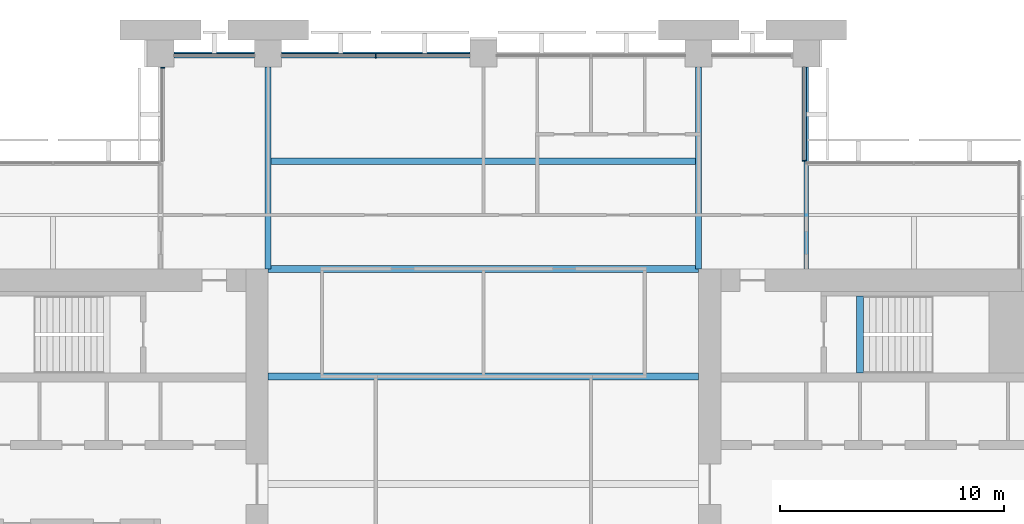
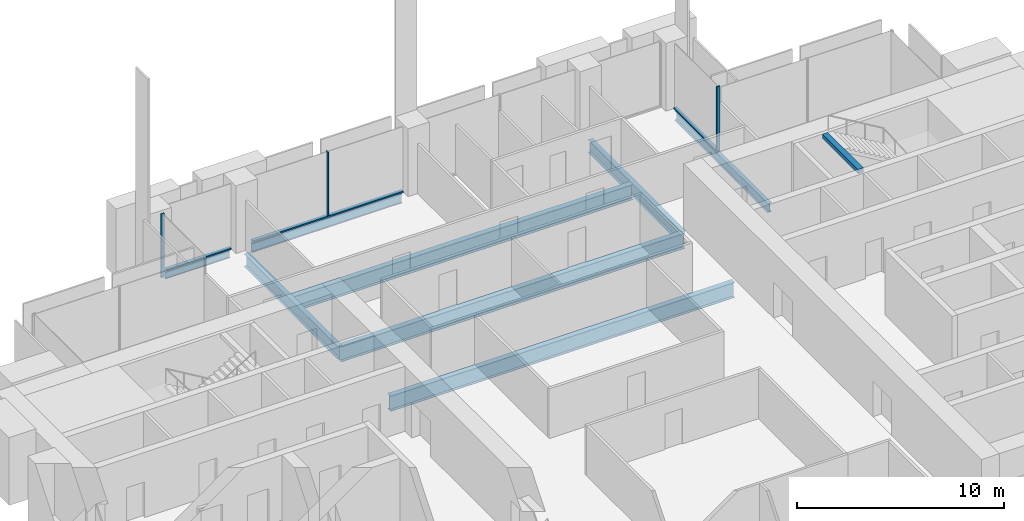
# One storey, part 6 of 14: 9 beams, 6 members, 3 elements without a shape of their own.
"""IFC4 building model written with IfcOpenShell, lengths in metres."""

from ifc_helpers import new_model, si_unit, direction, frame, origin, origin_2d, place, context, subcontext, project, spatial, rectangle, i_section, extrude, material, material_profile, profile_set, type_object, element, aggregate, save


model = new_model("IFC4")

# Units and contexts
model_context = context("Model", 3, precision=1e-05, world=origin(), true_north=direction((0.0, 1.0)))
body_context = subcontext(model_context, "Body", "Model", "MODEL_VIEW")
ifc_project = project(units=[si_unit("LENGTHUNIT", "METRE"), si_unit("AREAUNIT", "SQUARE_METRE"), si_unit("VOLUMEUNIT", "CUBIC_METRE"), si_unit("PLANEANGLEUNIT", "RADIAN"), si_unit("MASSUNIT", "GRAM", prefix="KILO")], contexts=[model_context])

# Site, building, storey
site_placement = place(None, origin())
site = spatial("IfcSite", under=ifc_project, at=site_placement, CompositionType="ELEMENT")
building_placement = place(site_placement, origin())
building = spatial("IfcBuilding", under=site, at=building_placement, Name="Baori Bourse Tower", CompositionType="ELEMENT")
storey_placement = place(building_placement, frame((0.0, 0.0, 120.10009765625)))
storey = spatial("IfcBuildingStorey", under=building, at=storey_placement, Name="L25", CompositionType="ELEMENT", Elevation=120.10009765625)

# Curtain wall, members
ifc_material_1 = material(Name="Pale anodised aluminium", Category="aluminium")
curtain_wall_type_1 = type_object("IfcCurtainWallType", Name="CW1 Curtain wall", PredefinedType="NOTDEFINED", material=ifc_material_1)
curtain_wall_1_placement = place(storey_placement, origin())
curtain_wall_1 = element("IfcCurtainWall", 1, at=curtain_wall_1_placement, inside=storey, type_object=curtain_wall_type_1, Name="Curtain wall CW1 L25 4", PredefinedType="NOTDEFINED")
ifc_material_2 = material(Name="Pale anodised aluminium", Category="aluminium")
ifc_material_profile_1 = material_profile(ifc_material_2, rectangle(XDim=0.199951171875, YDim=0.06005859375, at=origin_2d()), Name="Mullion 60x200")
ifc_profile_set_1 = profile_set([ifc_material_profile_1], Name="Pale anodised aluminium")
member_type_1 = type_object("IfcMemberType", Name="CW1 Curtain wall mullion", PredefinedType="MULLION", material=ifc_profile_set_1)
member_1_placement = place(storey_placement, frame((24.0, 47.89990234375, 0.079833984375), z_axis=(0.0, 0.0, 1.0), x_axis=(0.0, -1.0, 0.0)))
member_1 = element("IfcMember", 2, at=member_1_placement, type_object=member_type_1, Name="Curtain wall CW1 mullion", PredefinedType="MULLION", context=body_context, shape_type="SweptSolid", body=[
    extrude(rectangle(XDim=0.199951171875, YDim=0.06005859375, at=origin_2d()), origin(), (0.0, 0.0, 1.0), 3.760009765625),
])
ifc_material_3 = material(Name="Pale anodised aluminium", Category="aluminium")
ifc_material_profile_2 = material_profile(ifc_material_3, rectangle(XDim=0.199951171875, YDim=0.080078125, at=origin_2d()), Name="Transom 80x200")
ifc_profile_set_2 = profile_set([ifc_material_profile_2], Name="Pale anodised aluminium")
member_type_2 = type_object("IfcMemberType", Name="CW1 Curtain wall transom", PredefinedType="USERDEFINED", material=ifc_profile_set_2)
member_2_placement = place(storey_placement, frame((28.199951171875, 47.89990234375, 0.039794921875), z_axis=(-1.0, 0.0, 0.0), x_axis=(0.0, -1.0, 0.0)))
member_2 = element("IfcMember", 3, at=member_2_placement, type_object=member_type_2, Name="Curtain wall CW1 sill rail", ObjectType="TRANSOM", PredefinedType="USERDEFINED", context=body_context, shape_type="SweptSolid", body=[
    extrude(rectangle(XDim=0.199951171875, YDim=0.080078125, at=origin_2d()), origin(), (0.0, 0.0, 1.0), 8.39990234375),
])
member_3_placement = place(storey_placement, frame((18.60009765625, 47.89990234375, 0.039794921875), z_axis=(-1.0, 0.0, 0.0), x_axis=(0.0, -1.0, 0.0)))
member_3 = element("IfcMember", 4, at=member_3_placement, type_object=member_type_2, Name="Curtain wall CW1 sill rail", ObjectType="TRANSOM", PredefinedType="USERDEFINED", context=body_context, shape_type="SweptSolid", body=[
    extrude(rectangle(XDim=0.199951171875, YDim=0.080078125, at=origin_2d()), origin(), (0.0, 0.0, 1.0), 3.60009765625),
])
aggregate(curtain_wall_1, [member_2, member_1, member_3])

# Curtain wall, member
ifc_material_4 = material(Name="Pale anodised aluminium", Category="aluminium")
curtain_wall_type_2 = type_object("IfcCurtainWallType", Name="CW2 Curtain wall", PredefinedType="NOTDEFINED", material=ifc_material_4)
curtain_wall_2_placement = place(storey_placement, origin())
curtain_wall_2 = element("IfcCurtainWall", 5, at=curtain_wall_2_placement, inside=storey, type_object=curtain_wall_type_2, Name="Curtain wall CW2 L25 3", PredefinedType="NOTDEFINED")
ifc_material_5 = material(Name="Pale anodised aluminium", Category="aluminium")
ifc_material_profile_3 = material_profile(ifc_material_5, rectangle(XDim=0.179931640625, YDim=0.054931640625, at=origin_2d()), Name="Mullion 55x180")
ifc_profile_set_3 = profile_set([ifc_material_profile_3], Name="Pale anodised aluminium")
member_type_3 = type_object("IfcMemberType", Name="CW2 Curtain wall mullion", PredefinedType="MULLION", material=ifc_profile_set_3)
member_4_placement = place(storey_placement, frame((43.110107421875, 43.2275390625, 0.06982421875), z_axis=(0.0, 0.0, 1.0), x_axis=(-1.0, 0.0, 0.0)))
member_4 = element("IfcMember", 6, at=member_4_placement, type_object=member_type_3, Name="Curtain wall CW2 mullion", PredefinedType="MULLION", context=body_context, shape_type="SweptSolid", body=[
    extrude(rectangle(XDim=0.179931640625, YDim=0.054931640625, at=origin_2d()), origin(), (0.0, 0.0, 1.0), 3.77001953125),
])

curtain_wall_3_placement = place(storey_placement, origin())
curtain_wall_3 = element("IfcCurtainWall", 7, at=curtain_wall_3_placement, inside=storey, type_object=curtain_wall_type_2, Name="Curtain wall CW2 L25 5", PredefinedType="NOTDEFINED")
member_5_placement = place(storey_placement, frame((14.489990234375, 47.37255859375, 0.06982421875), z_axis=(0.0, 0.0, 1.0), x_axis=(1.0, 0.0, 0.0)))
member_5 = element("IfcMember", 8, at=member_5_placement, type_object=member_type_3, Name="Curtain wall CW2 mullion", PredefinedType="MULLION", context=body_context, shape_type="SweptSolid", body=[
    extrude(rectangle(XDim=0.179931640625, YDim=0.054931640625, at=origin_2d()), origin(), (0.0, 0.0, 1.0), 3.77001953125),
])
aggregate(curtain_wall_3, [member_5])

# Member
ifc_material_6 = material(Name="Pale anodised aluminium", Category="aluminium")
ifc_material_profile_4 = material_profile(ifc_material_6, rectangle(XDim=0.179931640625, YDim=0.070068359375, at=origin_2d()), Name="Transom 70x180")
ifc_profile_set_4 = profile_set([ifc_material_profile_4], Name="Pale anodised aluminium")
member_type_4 = type_object("IfcMemberType", Name="CW2 Curtain wall transom", PredefinedType="USERDEFINED", material=ifc_profile_set_4)
member_6_placement = place(storey_placement, frame((43.110107421875, 43.199951171875, 0.034912109375), z_axis=(0.0, 1.0, 0.0), x_axis=(-1.0, 0.0, 0.0)))
member_6 = element("IfcMember", 9, at=member_6_placement, type_object=member_type_4, Name="Curtain wall CW2 sill rail", ObjectType="TRANSOM", PredefinedType="USERDEFINED", context=body_context, shape_type="SweptSolid", body=[
    extrude(rectangle(XDim=0.179931640625, YDim=0.070068359375, at=origin_2d()), origin(), (0.0, 0.0, 1.0), 4.199951171875),
])

aggregate(curtain_wall_2, [member_6, member_4])

# Beams
ifc_material_7 = material(Name="Steel A992 Gr 50", Category="steel")
ifc_material_profile_5 = material_profile(ifc_material_7, i_section(OverallWidth=0.140380859375, OverallDepth=0.40380859375, WebThickness=0.007080078125, FlangeThickness=0.01123046875, at=origin_2d()), Name="W16x31")
ifc_profile_set_5 = profile_set([ifc_material_profile_5], Name="Steel A992 Gr 50")
beam_type_1 = type_object("IfcBeamType", Name="Edge beam W16x31", PredefinedType="BEAM", material=ifc_profile_set_5)
beam_1_placement = place(storey_placement, frame((15.0, 48.0, -0.362060546875), z_axis=(1.0, 0.0, 0.0), x_axis=(0.0, 1.0, 0.0)))
element("IfcBeam", 10, at=beam_1_placement, inside=storey, type_object=beam_type_1, Name="Edge beam L25", PredefinedType="BEAM", context=body_context, shape_type="SweptSolid", body=[
    extrude(i_section(OverallWidth=0.140380859375, OverallDepth=0.40380859375, WebThickness=0.007080078125, FlangeThickness=0.01123046875, at=origin_2d()), origin(), (0.0, 0.0, 1.0), 3.60009765625),
])
ifc_material_8 = material(Name="Steel A992 Gr 50", Category="steel")
ifc_material_profile_6 = material_profile(ifc_material_8, i_section(OverallWidth=0.1650390625, OverallDepth=0.52587890625, WebThickness=0.0087890625, FlangeThickness=0.011474609375, at=origin_2d()), Name="W21x44")
ifc_profile_set_6 = profile_set([ifc_material_profile_6], Name="Steel A992 Gr 50")
beam_type_2 = type_object("IfcBeamType", Name="Edge beam W21x44", PredefinedType="BEAM", material=ifc_profile_set_6)
beam_2_placement = place(storey_placement, frame((19.800048828125, 48.0, -0.423095703125), z_axis=(1.0, 0.0, 0.0), x_axis=(0.0, 1.0, 0.0)))
element("IfcBeam", 11, at=beam_2_placement, inside=storey, type_object=beam_type_2, Name="Edge beam L25", PredefinedType="BEAM", context=body_context, shape_type="SweptSolid", body=[
    extrude(i_section(OverallWidth=0.1650390625, OverallDepth=0.52587890625, WebThickness=0.0087890625, FlangeThickness=0.011474609375, at=origin_2d()), origin(), (0.0, 0.0, 1.0), 8.39990234375),
])
ifc_material_9 = material(Name="Steel A992 Gr 50", Category="steel")
ifc_material_profile_7 = material_profile(ifc_material_9, i_section(OverallWidth=0.21240234375, OverallDepth=0.54345703125, WebThickness=0.01318359375, FlangeThickness=0.021240234375, at=origin_2d()), Name="W21x83")
ifc_profile_set_7 = profile_set([ifc_material_profile_7], Name="Steel A992 Gr 50")
beam_type_3 = type_object("IfcBeamType", Name="Floor beam W21x83", PredefinedType="BEAM", material=ifc_profile_set_7)
beam_3_placement = place(storey_placement, frame((43.199951171875, 38.39990234375, -0.431884765625), z_axis=(0.0, 1.0, 0.0), x_axis=(-1.0, 0.0, 0.0)))
element("IfcBeam", 12, at=beam_3_placement, inside=storey, type_object=beam_type_3, Name="Floor beam L25", PredefinedType="BEAM", context=body_context, shape_type="SweptSolid", body=[
    extrude(i_section(OverallWidth=0.21240234375, OverallDepth=0.54345703125, WebThickness=0.01318359375, FlangeThickness=0.021240234375, at=origin_2d()), origin(), (0.0, 0.0, 1.0), 9.0),
])
ifc_material_10 = material(Name="Steel A992 Gr 50", Category="steel")
ifc_material_profile_8 = material_profile(ifc_material_10, i_section(OverallWidth=0.3046875, OverallDepth=0.904296875, WebThickness=0.01513671875, FlangeThickness=0.02001953125, at=origin_2d()), Name="W36x135")
ifc_profile_set_8 = profile_set([ifc_material_profile_8], Name="Steel A992 Gr 50")
beam_type_4 = type_object("IfcBeamType", Name="Floor beam W36x135", PredefinedType="BEAM", material=ifc_profile_set_8)
for number, where, z_axis, x_axis, name in (
    (13, (19.199951171875, 33.60009765625, -0.6123046875), (1.0, 0.0, 0.0), (0.0, 1.0, 0.0), "Floor beam L25"),
    (14, (19.199951171875, 38.39990234375, -0.6123046875), (1.0, 0.0, 0.0), (0.0, 1.0, 0.0), "Floor beam L25"),
):
    element("IfcBeam", number, at=place(storey_placement, frame(where, z_axis=z_axis, x_axis=x_axis)), inside=storey, type_object=beam_type_4, Name=name, PredefinedType="BEAM", context=body_context, shape_type="SweptSolid", body=[
        extrude(i_section(OverallWidth=0.3046875, OverallDepth=0.904296875, WebThickness=0.01513671875, FlangeThickness=0.02001953125, at=origin_2d()), origin(), (0.0, 0.0, 1.0), 19.199951171875),
    ])
beam_4_placement = place(storey_placement, frame((19.33203125, 43.199951171875, -0.6123046875), z_axis=(1.0, 0.0, 0.0), x_axis=(0.0, 1.0, 0.0)))
element("IfcBeam", 15, at=beam_4_placement, inside=storey, type_object=beam_type_4, Name="Floor beam L25", PredefinedType="BEAM", context=body_context, shape_type="SweptSolid", body=[
    extrude(i_section(OverallWidth=0.3046875, OverallDepth=0.904296875, WebThickness=0.01513671875, FlangeThickness=0.02001953125, at=origin_2d()), origin(), (0.0, 0.0, 1.0), 18.935791015625),
])
ifc_material_11 = material(Name="Steel A992 Gr 50", Category="steel")
ifc_material_profile_9 = material_profile(ifc_material_11, i_section(OverallWidth=0.26416015625, OverallDepth=0.749267578125, WebThickness=0.011962890625, FlangeThickness=0.015380859375, at=origin_2d()), Name="W30x90")
ifc_profile_set_9 = profile_set([ifc_material_profile_9], Name="Steel A992 Gr 50")
beam_type_5 = type_object("IfcBeamType", Name="Girder W30x90", PredefinedType="BEAM", material=ifc_profile_set_9)
for number, where, z_axis, x_axis, name in (
    (16, (19.199951171875, 38.39990234375, -0.53466796875), (0.0, 1.0, 0.0), (-1.0, 0.0, 0.0), "Girder L25"),
    (17, (38.39990234375, 38.39990234375, -0.53466796875), (0.0, 1.0, 0.0), (-1.0, 0.0, 0.0), "Girder L25"),
):
    element("IfcBeam", number, at=place(storey_placement, frame(where, z_axis=z_axis, x_axis=x_axis)), inside=storey, type_object=beam_type_5, Name=name, PredefinedType="BEAM", context=body_context, shape_type="SweptSolid", body=[
        extrude(i_section(OverallWidth=0.26416015625, OverallDepth=0.749267578125, WebThickness=0.011962890625, FlangeThickness=0.015380859375, at=origin_2d()), origin(), (0.0, 0.0, 1.0), 9.0),
    ])
ifc_material_12 = material(Name="Concrete f'c 50 MPa", Category="concrete")
ifc_material_profile_10 = material_profile(ifc_material_12, rectangle(XDim=0.300048828125, YDim=0.25, at=origin_2d()), Name="RC 300x250")
ifc_profile_set_10 = profile_set([ifc_material_profile_10], Name="Concrete f'c 50 MPa")
beam_type_6 = type_object("IfcBeamType", Name="Stair nib beam RC 300x250", PredefinedType="BEAM", material=ifc_profile_set_10)
beam_5_placement = place(storey_placement, frame((45.60009765625, 33.75, 3.71484375), z_axis=(0.0, 1.0, 0.0), x_axis=(-1.0, 0.0, 0.0)))
element("IfcBeam", 18, at=beam_5_placement, inside=storey, type_object=beam_type_6, Name="Stair EB nib beam L26", PredefinedType="BEAM", context=body_context, shape_type="SweptSolid", body=[
    extrude(rectangle(XDim=0.300048828125, YDim=0.25, at=origin_2d()), origin(), (0.0, 0.0, 1.0), 3.449951171875),
])

save(model, "model.ifc")
